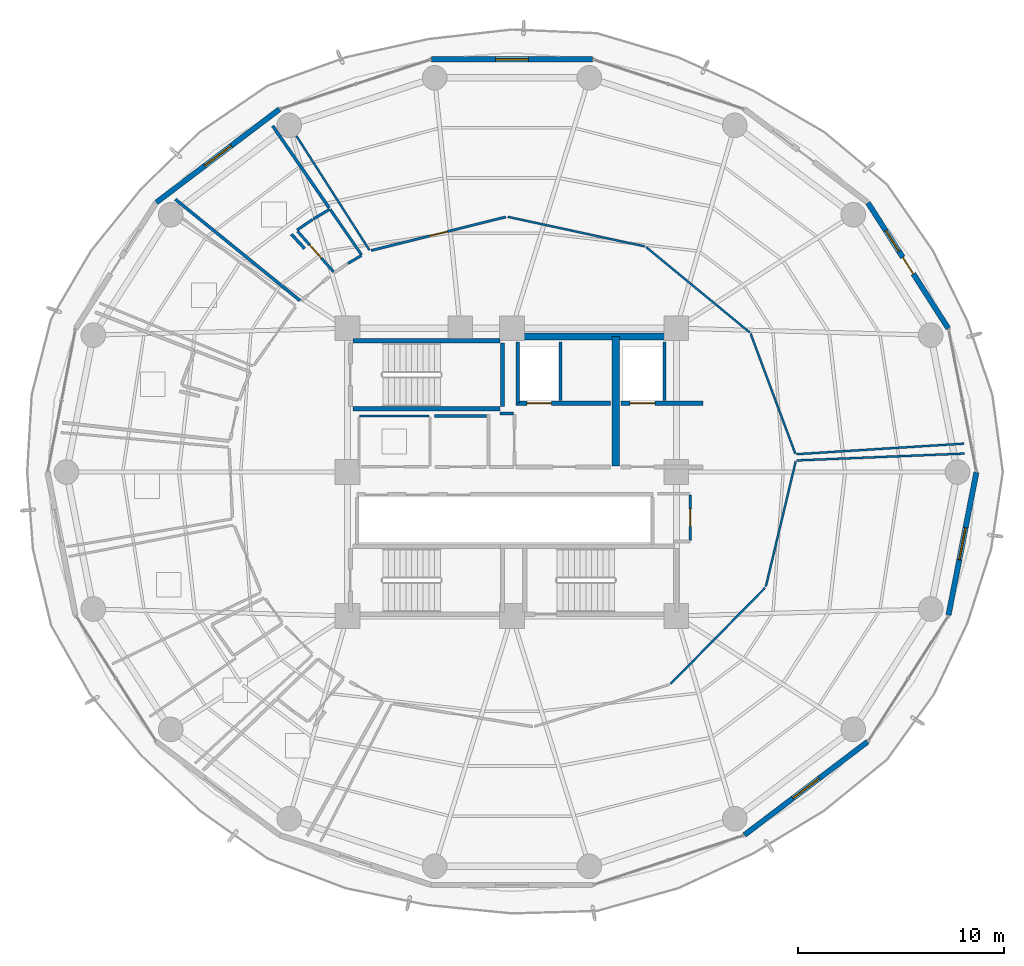
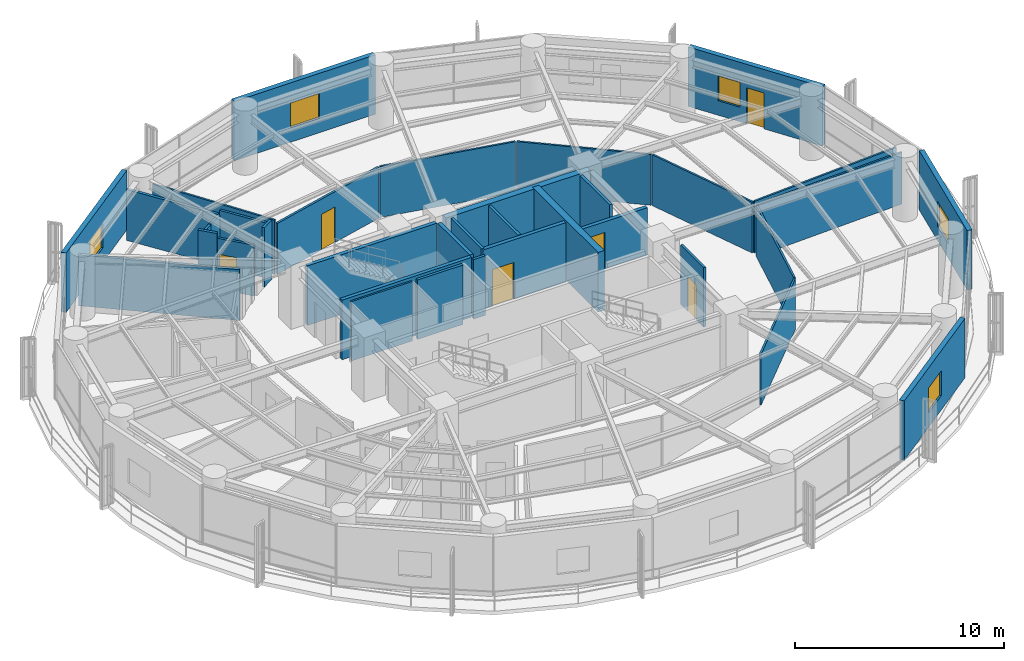
# One storey, part 23 of 27: 36 walls, 6 doors, 5 windows, 11 openings.
"""IFC4 building model written with IfcOpenShell, lengths in metres."""

from ifc_helpers import new_model, si_unit, direction, frame, frame_2d, origin, place, context, subcontext, project, spatial, rectangle, extrude, material, layer, layer_set, type_object, element, fill, save


model = new_model("IFC4")

# Units and contexts
model_context = context("Model", 3, precision=1e-05, world=origin(), true_north=direction((0.0, 1.0)))
body_context = subcontext(model_context, "Body", "Model", "MODEL_VIEW")
ifc_project = project(units=[si_unit("LENGTHUNIT", "METRE"), si_unit("AREAUNIT", "SQUARE_METRE"), si_unit("VOLUMEUNIT", "CUBIC_METRE"), si_unit("PLANEANGLEUNIT", "RADIAN"), si_unit("MASSUNIT", "GRAM", prefix="KILO")], contexts=[model_context])

# Site, building, storey
site_placement = place(None, origin())
site = spatial("IfcSite", under=ifc_project, at=site_placement, CompositionType="ELEMENT")
building_placement = place(site_placement, origin())
building = spatial("IfcBuilding", under=site, at=building_placement, Name="Kelanora Arch Commons", CompositionType="ELEMENT")
storey_placement = place(building_placement, frame((0.0, 0.0, 165.60009765625)))
storey = spatial("IfcBuildingStorey", under=building, at=storey_placement, Name="L42", CompositionType="ELEMENT", Elevation=165.60009765625)

# Walls
ifc_material_1 = material(Name="Autoclaved aerated concrete blockwork with fire plaster", Category="masonry")
ifc_layer_1 = layer(ifc_material_1, 0.14990234375)
ifc_layer_set_1 = layer_set([ifc_layer_1], Name="Autoclaved aerated concrete blockwork with fire plaster")
wall_type_1 = type_object("IfcWallType", Name="W-COMP-150", PredefinedType="PARTITIONING", material=ifc_layer_set_1)
wall_1_placement = place(storey_placement, frame((74.280029296875, 61.35009765625, 0.0), z_axis=(0.0, 0.0, 1.0), x_axis=(0.0, 1.0, 0.0)))
element("IfcWall", 1, at=wall_1_placement, inside=storey, type_object=wall_type_1, Name="Firefighting Lift 1 West Shaft Wall L42", PredefinedType="PARTITIONING", context=body_context, shape_type="SweptSolid", body=[
    extrude(rectangle(XDim=2.969970703125, YDim=0.14990234375, at=frame_2d((1.48486328125, 0.0))), origin(), (0.0, 0.0, 1.0), 3.47998046875),
])
for number, where, z_axis, x_axis, name in (
    (2, (76.360107421875, 61.47998046875, 0.0), (0.0, 0.0, 1.0), (0.0, 1.0, 0.0), "Firefighting Lift 1 East Shaft Wall L42"),
    (3, (81.419921875, 61.47998046875, 0.0), (0.0, 0.0, 1.0), (0.0, 1.0, 0.0), "Firefighting Lift 2 East Shaft Wall L42"),
):
    element("IfcWall", number, at=place(storey_placement, frame(where, z_axis=z_axis, x_axis=x_axis)), inside=storey, type_object=wall_type_1, Name=name, PredefinedType="PARTITIONING", context=body_context, shape_type="SweptSolid", body=[
        extrude(rectangle(XDim=2.840087890625, YDim=0.14990234375, at=frame_2d((1.419921875, 0.0))), origin(), (0.0, 0.0, 1.0), 3.47998046875),
    ])
wall_2_placement = place(storey_placement, frame((74.080078125, 60.85009765625, 0.0), z_axis=(0.0, 0.0, 1.0), x_axis=(-1.0, 0.0, 0.0)))
element("IfcWall", 4, at=wall_2_placement, inside=storey, type_object=wall_type_1, Name="Core Linen Supply Store L42 Enclosure Partition 3", PredefinedType="PARTITIONING", context=body_context, shape_type="SweptSolid", body=[
    extrude(rectangle(XDim=0.66015625, YDim=0.14990234375, at=frame_2d((0.330078125, 0.0))), origin(), (0.0, 0.0, 1.0), 3.47998046875),
])
wall_3_placement = place(storey_placement, frame((72.760009765625, 60.719970703125, 0.0), z_axis=(0.0, 0.0, 1.0), x_axis=(-1.0, 0.0, 0.0)))
element("IfcWall", 5, at=wall_3_placement, inside=storey, type_object=wall_type_1, Name="Reclaimed Core Linen Store L42 Enclosure Partition 3", PredefinedType="PARTITIONING", context=body_context, shape_type="SweptSolid", body=[
    extrude(rectangle(XDim=2.52001953125, YDim=0.14990234375, at=frame_2d((1.260009765625, 0.0))), origin(), (0.0, 0.0, 1.0), 3.47998046875),
])
wall_4_placement = place(storey_placement, frame((63.68896484375, 66.340087890625, 0.0), z_axis=(0.0, 0.0, 1.0), x_axis=(-0.77600992695, 0.630720693553, 0.0)))
element("IfcWall", 6, at=wall_4_placement, inside=storey, type_object=wall_type_1, Name="Cluster Bedroom L42-01 Enclosure Partition 2", PredefinedType="PARTITIONING", context=body_context, shape_type="SweptSolid", body=[
    extrude(rectangle(XDim=7.822265625, YDim=0.14990234375, at=frame_2d((3.9111328125, 0.0))), origin(), (0.0, 0.0, 1.0), 2.974853515625),
])
wall_5_placement = place(storey_placement, frame((62.354736328125, 74.84521484375, 0.0), z_axis=(0.0, 0.0, 1.0), x_axis=(0.56747106095, -0.823393341596, 0.0)))
element("IfcWall", 7, at=wall_5_placement, inside=storey, type_object=wall_type_1, Name="Cluster Bedroom L42-01 Enclosure Partition 5", PredefinedType="PARTITIONING", context=body_context, shape_type="SweptSolid", body=[
    extrude(rectangle(XDim=4.836669921875, YDim=0.14990234375, at=frame_2d((2.41845703125, 0.0))), origin(), (0.0, 0.0, 1.0), 2.974853515625),
])
wall_6_placement = place(storey_placement, frame((63.26416015625, 69.573486328125, 0.0), z_axis=(0.0, 0.0, 1.0), x_axis=(0.678771543933, -0.734349502041, 0.0)))
element("IfcWall", 8, at=wall_6_placement, inside=storey, type_object=wall_type_1, Name="Cluster Bedroom L42-01 Enclosure Partition 7", PredefinedType="PARTITIONING", context=body_context, shape_type="SweptSolid", body=[
    extrude(rectangle(XDim=0.94873046875, YDim=0.14990234375, at=frame_2d((0.474365234375, 0.0))), origin(), (0.0, 0.0, 1.0), 3.47998046875),
])
ifc_material_2 = material(Name="Concrete C50/60", Category="concrete")
ifc_layer_2 = layer(ifc_material_2, 0.35009765625)
ifc_layer_set_2 = layer_set([ifc_layer_2], Name="Concrete C50/60")
wall_type_2 = type_object("IfcWallType", Name="W-CORE-350", PredefinedType="SHEAR", material=ifc_layer_set_2)
wall_7_placement = place(storey_placement, frame((74.0, 64.60009765625, 0.0), z_axis=(0.0, 0.0, 1.0), x_axis=(1.0, 0.0, 0.0)))
element("IfcWall", 9, at=wall_7_placement, inside=storey, type_object=wall_type_2, Name="Core Shear Spine L42-CN-E", PredefinedType="SHEAR", context=body_context, shape_type="SweptSolid", body=[
    extrude(rectangle(XDim=8.0, YDim=0.35009765625, at=frame_2d((4.0, 0.0))), origin(), (0.0, 0.0, 1.0), 3.489990234375),
])
wall_8_placement = place(storey_placement, frame((79.050048828125, 58.300048828125, 0.0), z_axis=(0.0, 0.0, 1.0), x_axis=(0.0, 1.0, 0.0)))
element("IfcWall", 10, at=wall_8_placement, inside=storey, type_object=wall_type_2, Name="Core Shear Spine L42-CE-N", PredefinedType="SHEAR", context=body_context, shape_type="SweptSolid", body=[
    extrude(rectangle(XDim=6.300048828125, YDim=0.35009765625, at=frame_2d((3.14990234375, 0.0))), origin(), (0.0, 0.0, 1.0), 3.489990234375),
])

# Wall, openings, door, window
ifc_material_3 = material(Name="Precast concrete C40/50 with terracotta rainscreen", Category="masonry")
ifc_layer_3 = layer(ifc_material_3, 0.260009765625)
ifc_layer_set_3 = layer_set([ifc_layer_3], Name="Precast concrete C40/50 with terracotta rainscreen")
wall_type_3 = type_object("IfcWallType", Name="W-EXT-TC", PredefinedType="SOLIDWALL", material=ifc_layer_set_3)
wall_9_placement = place(storey_placement, frame((95.22900390625, 64.98974609375, 0.0), z_axis=(0.0, 0.0, 1.0), x_axis=(-0.538801521808, 0.842432739213, 0.0)))
wall_9 = element("IfcWall", 11, at=wall_9_placement, inside=storey, type_object=wall_type_3, Name="Terracotta Exterior Wall L42-B01", PredefinedType="SOLIDWALL", context=body_context, shape_type="SweptSolid", body=[
    extrude(rectangle(XDim=7.25341796875, YDim=0.260009765625, at=frame_2d((3.626708984375, 0.0))), origin(), (0.0, 0.0, 1.0), 3.474853515625),
])
opening_1_placement = place(wall_9_placement, frame((3.152099609375, 0.0, 0.0)))
opening_1 = element("IfcOpeningElement", 12, at=opening_1_placement, cuts=wall_9, Name="Opening DB-01", PredefinedType="OPENING", context=body_context, shape_type="SweptSolid", body=[
    extrude(rectangle(XDim=0.949951171875, YDim=2.10009765625, at=frame_2d((0.47509765625, 1.050048828125))), frame((0.0, 0.14013671875, 0.0), z_axis=(0.0, -1.0, 0.0), x_axis=(1.0, 0.0, 0.0)), (0.0, 0.0, 1.0), 0.280029296875),
])
opening_2_placement = place(wall_9_placement, frame((4.451904296875, 0.0, 0.85009765625)))
opening_2 = element("IfcOpeningElement", 13, at=opening_2_placement, cuts=wall_9, Name="Opening WN-02", PredefinedType="OPENING", context=body_context, shape_type="SweptSolid", body=[
    extrude(rectangle(XDim=1.199951171875, YDim=1.449951171875, at=frame_2d((0.60009765625, 0.72509765625))), frame((0.0, 0.14013671875, 0.0), z_axis=(0.0, -1.0, 0.0), x_axis=(1.0, 0.0, 0.0)), (0.0, 0.0, 1.0), 0.280029296875),
])
ifc_material_4 = material(Name="Terracotta-aluminium thermally broken glazed balcony door", Category="masonry")
door_type_1 = type_object("IfcDoorType", Name="D-BAL-10", OperationType="NOTDEFINED", PredefinedType="DOOR", material=ifc_material_4)
door_1_placement = place(opening_1_placement, frame((0.949951171875, 0.0, 0.0), z_axis=(0.0, 0.0, 1.0), x_axis=(-1.0, 0.0, 0.0)))
door_1 = element("IfcDoor", 14, at=door_1_placement, inside=storey, type_object=door_type_1, Name="Wave Balcony Door L42-B01", OperationType="SINGLE_SWING_RIGHT", OverallHeight=2.10009765625, OverallWidth=0.949951171875, PredefinedType="DOOR", context=body_context, shape_type="SweptSolid", body=[
    extrude(rectangle(XDim=0.949951171875, YDim=2.10009765625, at=frame_2d((0.47509765625, 1.050048828125))), frame((0.0, 0.02490234375, 0.0), z_axis=(0.0, -1.0, 0.0), x_axis=(1.0, 0.0, 0.0)), (0.0, 0.0, 1.0), 0.050048828125),
])
fill(opening_1, door_1)
ifc_material_5 = material(Name="Terracotta-anodised aluminium frame with operable awning sash", Category="masonry")
window_type_1 = type_object("IfcWindowType", Name="WIN-CL-12", PartitioningType="SINGLE_PANEL", PredefinedType="WINDOW", material=ifc_material_5)
window_1_placement = place(opening_2_placement, origin())
window_1 = element("IfcWindow", 15, at=window_1_placement, inside=storey, type_object=window_type_1, Name="Co-Living Operable Window L42-B01", OverallHeight=1.449951171875, OverallWidth=1.199951171875, PartitioningType="SINGLE_PANEL", PredefinedType="WINDOW", context=body_context, shape_type="SweptSolid", body=[
    extrude(rectangle(XDim=1.199951171875, YDim=1.449951171875, at=frame_2d((0.60009765625, 0.72509765625))), frame((0.0, 0.030029296875, 0.0), z_axis=(0.0, -1.0, 0.0), x_axis=(1.0, 0.0, 0.0)), (0.0, 0.0, 1.0), 0.06005859375),
])
fill(opening_2, window_1)

# Wall, opening, window
wall_10_placement = place(storey_placement, frame((77.909423828125, 78.090087890625, 0.0), z_axis=(0.0, 0.0, 1.0), x_axis=(-1.0, 0.0, 0.0)))
wall_10 = element("IfcWall", 16, at=wall_10_placement, inside=storey, type_object=wall_type_3, Name="Terracotta Exterior Wall L42-B04", PredefinedType="SOLIDWALL", context=body_context, shape_type="SweptSolid", body=[
    extrude(rectangle(XDim=7.81884765625, YDim=0.260009765625, at=frame_2d((3.909423828125, 0.0))), origin(), (0.0, 0.0, 1.0), 3.474853515625),
])
opening_3_placement = place(wall_10_placement, frame((3.10888671875, 0.0, 0.85009765625)))
opening_3 = element("IfcOpeningElement", 17, at=opening_3_placement, cuts=wall_10, Name="Opening WN-01", PredefinedType="OPENING", context=body_context, shape_type="SweptSolid", body=[
    extrude(rectangle(XDim=1.60009765625, YDim=1.449951171875, at=frame_2d((0.800048828125, 0.72509765625))), frame((0.0, 0.14013671875, 0.0), z_axis=(0.0, -1.0, 0.0), x_axis=(1.0, 0.0, 0.0)), (0.0, 0.0, 1.0), 0.280029296875),
])
ifc_material_6 = material(Name="Terracotta-anodised aluminium frame with operable low-E glazing", Category="masonry")
window_type_2 = type_object("IfcWindowType", Name="WIN-CL-18", PartitioningType="DOUBLE_PANEL_VERTICAL", PredefinedType="WINDOW", material=ifc_material_6)
window_2_placement = place(opening_3_placement, origin())
window_2 = element("IfcWindow", 18, at=window_2_placement, inside=storey, type_object=window_type_2, Name="Co-Living Operable Window L42-B04", OverallHeight=1.449951171875, OverallWidth=1.60009765625, PartitioningType="SINGLE_PANEL", PredefinedType="WINDOW", context=body_context, shape_type="SweptSolid", body=[
    extrude(rectangle(XDim=1.60009765625, YDim=1.449951171875, at=frame_2d((0.800048828125, 0.72509765625))), frame((0.0, 0.030029296875, 0.0), z_axis=(0.0, -1.0, 0.0), x_axis=(1.0, 0.0, 0.0)), (0.0, 0.0, 1.0), 0.06005859375),
])
fill(opening_3, window_2)

wall_11_placement = place(storey_placement, frame((62.68798828125, 75.65771484375, 0.0), z_axis=(0.0, 0.0, 1.0), x_axis=(-0.797163719609, -0.603763202042, 0.0)))
wall_11 = element("IfcWall", 19, at=wall_11_placement, inside=storey, type_object=wall_type_3, Name="Terracotta Exterior Wall L42-B06", PredefinedType="SOLIDWALL", context=body_context, shape_type="SweptSolid", body=[
    extrude(rectangle(XDim=7.51220703125, YDim=0.260009765625, at=frame_2d((3.756103515625, 0.0))), origin(), (0.0, 0.0, 1.0), 3.474853515625),
])
opening_4_placement = place(wall_11_placement, frame((2.9560546875, 0.0, 0.85009765625)))
opening_4 = element("IfcOpeningElement", 20, at=opening_4_placement, cuts=wall_11, Name="Opening WN-01", PredefinedType="OPENING", context=body_context, shape_type="SweptSolid", body=[
    extrude(rectangle(XDim=1.60009765625, YDim=1.449951171875, at=frame_2d((0.800048828125, 0.72509765625))), frame((0.0, 0.14013671875, 0.0), z_axis=(0.0, -1.0, 0.0), x_axis=(1.0, 0.0, 0.0)), (0.0, 0.0, 1.0), 0.280029296875),
])
window_3_placement = place(opening_4_placement, origin())
window_3 = element("IfcWindow", 21, at=window_3_placement, inside=storey, type_object=window_type_2, Name="Co-Living Operable Window L42-B06", OverallHeight=1.449951171875, OverallWidth=1.60009765625, PartitioningType="SINGLE_PANEL", PredefinedType="WINDOW", context=body_context, shape_type="SweptSolid", body=[
    extrude(rectangle(XDim=1.60009765625, YDim=1.449951171875, at=frame_2d((0.800048828125, 0.72509765625))), frame((0.0, 0.030029296875, 0.0), z_axis=(0.0, -1.0, 0.0), x_axis=(1.0, 0.0, 0.0)), (0.0, 0.0, 1.0), 0.06005859375),
])
fill(opening_4, window_3)

wall_12_placement = place(storey_placement, frame((85.31201171875, 40.34228515625, 0.0), z_axis=(0.0, 0.0, 1.0), x_axis=(0.797163719609, 0.603763202042, 0.0)))
wall_12 = element("IfcWall", 22, at=wall_12_placement, inside=storey, type_object=wall_type_3, Name="Terracotta Exterior Wall L42-B15", PredefinedType="SOLIDWALL", context=body_context, shape_type="SweptSolid", body=[
    extrude(rectangle(XDim=7.51220703125, YDim=0.260009765625, at=frame_2d((3.756103515625, 0.0))), origin(), (0.0, 0.0, 1.0), 3.474853515625),
])
opening_5_placement = place(wall_12_placement, frame((2.9560546875, 0.0, 0.85009765625)))
opening_5 = element("IfcOpeningElement", 23, at=opening_5_placement, cuts=wall_12, Name="Opening WN-01", PredefinedType="OPENING", context=body_context, shape_type="SweptSolid", body=[
    extrude(rectangle(XDim=1.60009765625, YDim=1.449951171875, at=frame_2d((0.800048828125, 0.72509765625))), frame((0.0, 0.14013671875, 0.0), z_axis=(0.0, -1.0, 0.0), x_axis=(1.0, 0.0, 0.0)), (0.0, 0.0, 1.0), 0.280029296875),
])
window_4_placement = place(opening_5_placement, origin())
window_4 = element("IfcWindow", 24, at=window_4_placement, inside=storey, type_object=window_type_2, Name="Co-Living Operable Window L42-B15", OverallHeight=1.449951171875, OverallWidth=1.60009765625, PartitioningType="SINGLE_PANEL", PredefinedType="WINDOW", context=body_context, shape_type="SweptSolid", body=[
    extrude(rectangle(XDim=1.60009765625, YDim=1.449951171875, at=frame_2d((0.800048828125, 0.72509765625))), frame((0.0, 0.030029296875, 0.0), z_axis=(0.0, -1.0, 0.0), x_axis=(1.0, 0.0, 0.0)), (0.0, 0.0, 1.0), 0.06005859375),
])
fill(opening_5, window_4)

wall_13_placement = place(storey_placement, frame((95.239990234375, 51.03759765625, 0.0), z_axis=(0.0, 0.0, 1.0), x_axis=(0.191716984769, 0.981450252306, 0.0)))
wall_13 = element("IfcWall", 25, at=wall_13_placement, inside=storey, type_object=wall_type_3, Name="Terracotta Exterior Wall L42-B17", PredefinedType="SOLIDWALL", context=body_context, shape_type="SweptSolid", body=[
    extrude(rectangle(XDim=7.0791015625, YDim=0.260009765625, at=frame_2d((3.53955078125, 0.0))), origin(), (0.0, 0.0, 1.0), 3.474853515625),
])
opening_6_placement = place(wall_13_placement, frame((2.739990234375, 0.0, 0.85009765625)))
opening_6 = element("IfcOpeningElement", 26, at=opening_6_placement, cuts=wall_13, Name="Opening WN-01", PredefinedType="OPENING", context=body_context, shape_type="SweptSolid", body=[
    extrude(rectangle(XDim=1.60009765625, YDim=1.449951171875, at=frame_2d((0.800048828125, 0.72509765625))), frame((0.0, 0.14013671875, 0.0), z_axis=(0.0, -1.0, 0.0), x_axis=(1.0, 0.0, 0.0)), (0.0, 0.0, 1.0), 0.280029296875),
])
window_5_placement = place(opening_6_placement, origin())
window_5 = element("IfcWindow", 27, at=window_5_placement, inside=storey, type_object=window_type_2, Name="Co-Living Operable Window L42-B17", OverallHeight=1.449951171875, OverallWidth=1.60009765625, PartitioningType="SINGLE_PANEL", PredefinedType="WINDOW", context=body_context, shape_type="SweptSolid", body=[
    extrude(rectangle(XDim=1.60009765625, YDim=1.449951171875, at=frame_2d((0.800048828125, 0.72509765625))), frame((0.0, 0.030029296875, 0.0), z_axis=(0.0, -1.0, 0.0), x_axis=(1.0, 0.0, 0.0)), (0.0, 0.0, 1.0), 0.06005859375),
])
fill(opening_6, window_5)

# Wall, opening, door
ifc_material_7 = material(Name="Concrete C40/50", Category="concrete")
ifc_layer_4 = layer(ifc_material_7, 0.199951171875)
ifc_layer_set_4 = layer_set([ifc_layer_4], Name="Concrete C40/50")
wall_type_4 = type_object("IfcWallType", Name="W-FFL-200", PredefinedType="SOLIDWALL", material=ifc_layer_set_4)
wall_14_placement = place(storey_placement, frame((74.199951171875, 61.35009765625, 0.0), z_axis=(0.0, 0.0, 1.0), x_axis=(1.0, 0.0, 0.0)))
wall_14 = element("IfcWall", 28, at=wall_14_placement, inside=storey, type_object=wall_type_4, Name="Firefighting Lift 1 Shaft Front L42", PredefinedType="SOLIDWALL", context=body_context, shape_type="SweptSolid", body=[
    extrude(rectangle(XDim=4.60009765625, YDim=0.199951171875, at=frame_2d((2.300048828125, 0.0))), origin(), (0.0, 0.0, 1.0), 3.47998046875),
])
opening_7_placement = place(wall_14_placement, frame((0.52001953125, 0.0, 0.0)))
opening_7 = element("IfcOpeningElement", 29, at=opening_7_placement, cuts=wall_14, Name="Opening LD-FF", PredefinedType="OPENING", context=body_context, shape_type="SweptSolid", body=[
    extrude(rectangle(XDim=1.199951171875, YDim=2.14990234375, at=frame_2d((0.60009765625, 1.074951171875))), frame((0.0, 0.10986328125, 0.0), z_axis=(0.0, -1.0, 0.0), x_axis=(1.0, 0.0, 0.0)), (0.0, 0.0, 1.0), 0.219970703125),
])
ifc_material_8 = material(Name="Fire-rated firefighters lift sliding landing door")
door_type_2 = type_object("IfcDoorType", Name="D-LIFT-FF", OperationType="NOTDEFINED", PredefinedType="DOOR", material=ifc_material_8)
door_2_placement = place(opening_7_placement, origin())
door_2 = element("IfcDoor", 30, at=door_2_placement, inside=storey, type_object=door_type_2, Name="Firefighting Lift LF-FF1 Landing Door L42", OperationType="DOUBLE_DOOR_SLIDING", OverallHeight=2.14990234375, OverallWidth=1.199951171875, PredefinedType="DOOR", context=body_context, shape_type="SweptSolid", body=[
    extrude(rectangle(XDim=1.199951171875, YDim=2.14990234375, at=frame_2d((0.60009765625, 1.074951171875))), frame((0.0, 0.02490234375, 0.0), z_axis=(0.0, -1.0, 0.0), x_axis=(1.0, 0.0, 0.0)), (0.0, 0.0, 1.0), 0.050048828125),
])
fill(opening_7, door_2)

wall_15_placement = place(storey_placement, frame((79.300048828125, 61.35009765625, 0.0), z_axis=(0.0, 0.0, 1.0), x_axis=(1.0, 0.0, 0.0)))
wall_15 = element("IfcWall", 31, at=wall_15_placement, inside=storey, type_object=wall_type_4, Name="Firefighting Lift 2 Shaft Front L42", PredefinedType="SOLIDWALL", context=body_context, shape_type="SweptSolid", body=[
    extrude(rectangle(XDim=4.0, YDim=0.199951171875, at=frame_2d((2.0, 0.0))), origin(), (0.0, 0.0, 1.0), 2.77490234375),
])
opening_8_placement = place(wall_15_placement, frame((0.449951171875, 0.0, 0.0)))
opening_8 = element("IfcOpeningElement", 32, at=opening_8_placement, cuts=wall_15, Name="Opening LD-FF", PredefinedType="OPENING", context=body_context, shape_type="SweptSolid", body=[
    extrude(rectangle(XDim=1.199951171875, YDim=2.14990234375, at=frame_2d((0.60009765625, 1.074951171875))), frame((0.0, 0.10986328125, 0.0), z_axis=(0.0, -1.0, 0.0), x_axis=(1.0, 0.0, 0.0)), (0.0, 0.0, 1.0), 0.219970703125),
])
door_3_placement = place(opening_8_placement, origin())
door_3 = element("IfcDoor", 33, at=door_3_placement, inside=storey, type_object=door_type_2, Name="Firefighting Lift LF-FF2 Landing Door L42", OperationType="DOUBLE_DOOR_SLIDING", OverallHeight=2.14990234375, OverallWidth=1.199951171875, PredefinedType="DOOR", context=body_context, shape_type="SweptSolid", body=[
    extrude(rectangle(XDim=1.199951171875, YDim=2.14990234375, at=frame_2d((0.60009765625, 1.074951171875))), frame((0.0, 0.02490234375, 0.0), z_axis=(0.0, -1.0, 0.0), x_axis=(1.0, 0.0, 0.0)), (0.0, 0.0, 1.0), 0.050048828125),
])
fill(opening_8, door_3)

# Walls
ifc_material_9 = material(Name="Lightweight fire-rated acoustic stud partition")
ifc_layer_5 = layer(ifc_material_9, 0.10009765625)
ifc_layer_set_5 = layer_set([ifc_layer_5], Name="Lightweight fire-rated acoustic stud partition")
wall_type_5 = type_object("IfcWallType", Name="W-PART-100", PredefinedType="PARTITIONING", material=ifc_layer_set_5)
wall_16_placement = place(storey_placement, frame((69.9599609375, 60.719970703125, 0.0), z_axis=(0.0, 0.0, 1.0), x_axis=(-1.0, 0.0, 0.0)))
element("IfcWall", 34, at=wall_16_placement, inside=storey, type_object=wall_type_5, Name="Reclaimed Core Quiet Phone Booths L42 Enclosure Partition 3", PredefinedType="PARTITIONING", context=body_context, shape_type="SweptSolid", body=[
    extrude(rectangle(XDim=3.369873046875, YDim=0.10009765625, at=frame_2d((1.68505859375, 0.0))), origin(), (0.0, 0.0, 1.0), 3.47998046875),
])
wall_17_placement = place(storey_placement, frame((81.72216796875, 47.699462890625, 0.0), z_axis=(0.0, 0.0, 1.0), x_axis=(0.701417862724, 0.712750294179, 0.0)))
element("IfcWall", 35, at=wall_17_placement, inside=storey, type_object=wall_type_5, Name="South-East Social Sky Lounge L42 Enclosure Partition 3", PredefinedType="PARTITIONING", context=body_context, shape_type="SweptSolid", body=[
    extrude(rectangle(XDim=6.54931640625, YDim=0.10009765625, at=frame_2d((3.274658203125, 0.0))), origin(), (0.0, 0.0, 1.0), 2.974853515625),
])
wall_18_placement = place(storey_placement, frame((86.353271484375, 52.434814453125, 0.0), z_axis=(0.0, 0.0, 1.0), x_axis=(0.232117767109, 0.972687689956, 0.0)))
element("IfcWall", 36, at=wall_18_placement, inside=storey, type_object=wall_type_5, Name="South-East Social Sky Lounge L42 Enclosure Partition 4", PredefinedType="PARTITIONING", context=body_context, shape_type="SweptSolid", body=[
    extrude(rectangle(XDim=6.26123046875, YDim=0.10009765625, at=frame_2d((3.130615234375, 0.0))), origin(), (0.0, 0.0, 1.0), 2.974853515625),
])
wall_19_placement = place(storey_placement, frame((87.85595703125, 58.565673828125, 0.0), z_axis=(0.0, 0.0, 1.0), x_axis=(0.999160005097, 0.04097907045, 0.0)))
element("IfcWall", 37, at=wall_19_placement, inside=storey, type_object=wall_type_5, Name="South-East Social Sky Lounge L42 Enclosure Partition 5", PredefinedType="PARTITIONING", context=body_context, shape_type="SweptSolid", body=[
    extrude(rectangle(XDim=8.16796875, YDim=0.10009765625, at=frame_2d((4.083984375, 0.0))), origin(), (0.0, 0.0, 1.0), 3.02490234375),
])
wall_20_placement = place(storey_placement, frame((87.781982421875, 58.904541015625, 0.0), z_axis=(0.0, 0.0, 1.0), x_axis=(-0.348794663743, 0.937199169091, 0.0)))
element("IfcWall", 38, at=wall_20_placement, inside=storey, type_object=wall_type_5, Name="North-East Quiet Study Commons L42 Enclosure Partition 1", PredefinedType="PARTITIONING", context=body_context, shape_type="SweptSolid", body=[
    extrude(rectangle(XDim=6.218505859375, YDim=0.10009765625, at=frame_2d((3.109375, 0.0))), origin(), (0.0, 0.0, 1.0), 2.974853515625),
])
wall_21_placement = place(storey_placement, frame((85.568115234375, 64.79541015625, 0.0), z_axis=(0.0, 0.0, 1.0), x_axis=(-0.771910823064, 0.635730824513, 0.0)))
element("IfcWall", 39, at=wall_21_placement, inside=storey, type_object=wall_type_5, Name="North-East Quiet Study Commons L42 Enclosure Partition 2", PredefinedType="PARTITIONING", context=body_context, shape_type="SweptSolid", body=[
    extrude(rectangle(XDim=6.53466796875, YDim=0.10009765625, at=frame_2d((3.267333984375, 0.0))), origin(), (0.0, 0.0, 1.0), 2.974853515625),
])
wall_22_placement = place(storey_placement, frame((80.453857421875, 68.9833984375, 0.0), z_axis=(0.0, 0.0, 1.0), x_axis=(-0.977499159178, 0.210939313089, 0.0)))
element("IfcWall", 40, at=wall_22_placement, inside=storey, type_object=wall_type_5, Name="North-East Quiet Study Commons L42 Enclosure Partition 3", PredefinedType="PARTITIONING", context=body_context, shape_type="SweptSolid", body=[
    extrude(rectangle(XDim=6.80908203125, YDim=0.10009765625, at=frame_2d((3.404541015625, 0.0))), origin(), (0.0, 0.0, 1.0), 2.974853515625),
])
wall_23_placement = place(storey_placement, frame((67.0634765625, 68.798583984375, 0.0), z_axis=(0.0, 0.0, 1.0), x_axis=(-0.538644897025, 0.842532892479, 0.0)))
element("IfcWall", 41, at=wall_23_placement, inside=storey, type_object=wall_type_5, Name="North-East Quiet Study Commons L42 Enclosure Partition 5", PredefinedType="PARTITIONING", context=body_context, shape_type="SweptSolid", body=[
    extrude(rectangle(XDim=6.593505859375, YDim=0.10009765625, at=frame_2d((3.296875, 0.0))), origin(), (0.0, 0.0, 1.0), 3.1748046875),
])
wall_24_placement = place(storey_placement, frame((95.986083984375, 59.384521484375, 0.0), z_axis=(0.0, 0.0, 1.0), x_axis=(-0.998008477031, -0.063079947474, 0.0)))
element("IfcWall", 42, at=wall_24_placement, inside=storey, type_object=wall_type_5, Name="North-East Quiet Study Commons L42 Enclosure Partition 10", PredefinedType="PARTITIONING", context=body_context, shape_type="SweptSolid", body=[
    extrude(rectangle(XDim=8.16650390625, YDim=0.10009765625, at=frame_2d((4.083251953125, 0.0))), origin(), (0.0, 0.0, 1.0), 3.02490234375),
])

# Wall, opening, door
ifc_material_10 = material(Name="Acoustic twin-stud fire-rated gypsum partition")
ifc_layer_6 = layer(ifc_material_10, 0.1201171875)
ifc_layer_set_6 = layer_set([ifc_layer_6], Name="Acoustic twin-stud fire-rated gypsum partition")
wall_type_6 = type_object("IfcWallType", Name="W-PART-120", PredefinedType="PARTITIONING", material=ifc_layer_set_6)
wall_25_placement = place(storey_placement, frame((73.70068359375, 70.41357421875, 0.0), z_axis=(0.0, 0.0, 1.0), x_axis=(-0.970327101986, -0.241796019718, 0.0)))
wall_25 = element("IfcWall", 43, at=wall_25_placement, inside=storey, type_object=wall_type_6, Name="North-East Quiet Study Commons L42 Entry Partition", PredefinedType="PARTITIONING", context=body_context, shape_type="SweptSolid", body=[
    extrude(rectangle(XDim=6.7578125, YDim=0.1201171875, at=frame_2d((3.37890625, 0.0))), origin(), (0.0, 0.0, 1.0), 2.974853515625),
])
opening_9_placement = place(wall_25_placement, frame((2.928955078125, 0.0, 0.0)))
opening_9 = element("IfcOpeningElement", 44, at=opening_9_placement, cuts=wall_25, Name="Opening D-RM1", PredefinedType="OPENING", context=body_context, shape_type="SweptSolid", body=[
    extrude(rectangle(XDim=0.89990234375, YDim=2.080078125, at=frame_2d((0.449951171875, 1.0400390625))), frame((0.0, 0.070068359375, 0.0), z_axis=(0.0, -1.0, 0.0), x_axis=(1.0, 0.0, 0.0)), (0.0, 0.0, 1.0), 0.14013671875),
])
ifc_material_11 = material(Name="Acoustic fire-rated timber study and lounge door", Category="wood")
door_type_3 = type_object("IfcDoorType", Name="D-ROOM-90", OperationType="NOTDEFINED", PredefinedType="DOOR", material=ifc_material_11)
door_4_placement = place(opening_9_placement, origin())
door_4 = element("IfcDoor", 45, at=door_4_placement, inside=storey, type_object=door_type_3, Name="North-East Quiet Study Commons L42 Door", OperationType="SINGLE_SWING_LEFT", OverallHeight=2.080078125, OverallWidth=0.89990234375, PredefinedType="DOOR", context=body_context, shape_type="SweptSolid", body=[
    extrude(rectangle(XDim=0.89990234375, YDim=2.080078125, at=frame_2d((0.449951171875, 1.0400390625))), frame((0.0, 0.02490234375, 0.0), z_axis=(0.0, -1.0, 0.0), x_axis=(1.0, 0.0, 0.0)), (0.0, 0.0, 1.0), 0.050048828125),
])
fill(opening_9, door_4)

# Walls
ifc_layer_7 = layer(ifc_material_7, 0.199951171875)
ifc_layer_set_7 = layer_set([ifc_layer_7], Name="Concrete C40/50")
wall_type_7 = type_object("IfcWallType", Name="W-STAIR-200", PredefinedType="SHEAR", material=ifc_layer_set_7)
wall_26_placement = place(storey_placement, frame((66.260009765625, 61.080078125, 0.0), z_axis=(0.0, 0.0, 1.0), x_axis=(1.0, 0.0, 0.0)))
element("IfcWall", 46, at=wall_26_placement, inside=storey, type_object=wall_type_7, Name="Stair ST-T1 Shaft Wall S L42", PredefinedType="SHEAR", context=body_context, shape_type="SweptSolid", body=[
    extrude(rectangle(XDim=7.159912109375, YDim=0.199951171875, at=frame_2d((3.580078125, 0.0))), origin(), (0.0, 0.0, 1.0), 3.489990234375),
])
wall_27_placement = place(storey_placement, frame((73.5400390625, 61.199951171875, 0.0), z_axis=(0.0, 0.0, 1.0), x_axis=(0.0, 1.0, 0.0)))
element("IfcWall", 47, at=wall_27_placement, inside=storey, type_object=wall_type_7, Name="Stair ST-T1 Shaft Wall E L42", PredefinedType="SHEAR", context=body_context, shape_type="SweptSolid", body=[
    extrude(rectangle(XDim=3.070068359375, YDim=0.199951171875, at=frame_2d((1.53515625, 0.0))), origin(), (0.0, 0.0, 1.0), 3.489990234375),
])
wall_28_placement = place(storey_placement, frame((73.419921875, 64.389892578125, 0.0), z_axis=(0.0, 0.0, 1.0), x_axis=(-1.0, 0.0, 0.0)))
element("IfcWall", 48, at=wall_28_placement, inside=storey, type_object=wall_type_7, Name="Stair ST-T1 Shaft Wall N L42", PredefinedType="SHEAR", context=body_context, shape_type="SweptSolid", body=[
    extrude(rectangle(XDim=7.159912109375, YDim=0.199951171875, at=frame_2d((3.580078125, 0.0))), origin(), (0.0, 0.0, 1.0), 3.489990234375),
])

# Wall, opening, door
ifc_material_12 = material(Name="Moisture-resistant fire-rated cement-board plumbing wall")
ifc_layer_8 = layer(ifc_material_12, 0.1298828125)
ifc_layer_set_8 = layer_set([ifc_layer_8], Name="Moisture-resistant fire-rated cement-board plumbing wall")
wall_type_8 = type_object("IfcWallType", Name="W-WET-120", PredefinedType="PLUMBINGWALL", material=ifc_layer_set_8)
wall_29_placement = place(storey_placement, frame((82.679931640625, 54.679931640625, 0.0), z_axis=(0.0, 0.0, 1.0), x_axis=(0.0, 1.0, 0.0)))
wall_29 = element("IfcWall", 49, at=wall_29_placement, inside=storey, type_object=wall_type_8, Name="Core Accessible Unisex WC L42 Entry Partition", PredefinedType="PLUMBINGWALL", context=body_context, shape_type="SweptSolid", body=[
    extrude(rectangle(XDim=2.2099609375, YDim=0.1298828125, at=frame_2d((1.10498046875, 0.0))), origin(), (0.0, 0.0, 1.0), 3.47998046875),
])
opening_10_placement = place(wall_29_placement, frame((0.675048828125, 0.0, 0.0)))
opening_10 = element("IfcOpeningElement", 50, at=opening_10_placement, cuts=wall_29, Name="Opening D-BT1", PredefinedType="OPENING", context=body_context, shape_type="SweptSolid", body=[
    extrude(rectangle(XDim=0.860107421875, YDim=2.050048828125, at=frame_2d((0.43017578125, 1.02490234375))), frame((0.0, 0.074951171875, 0.0), z_axis=(0.0, -1.0, 0.0), x_axis=(1.0, 0.0, 0.0)), (0.0, 0.0, 1.0), 0.14990234375),
])
ifc_material_13 = material(Name="Moisture-sealed fire-rated accessible bathroom door")
door_type_4 = type_object("IfcDoorType", Name="D-BATH-85", OperationType="NOTDEFINED", PredefinedType="DOOR", material=ifc_material_13)
door_5_placement = place(opening_10_placement, origin())
door_5 = element("IfcDoor", 51, at=door_5_placement, inside=storey, type_object=door_type_4, Name="Core Accessible Unisex WC L42 Door", OperationType="SINGLE_SWING_LEFT", OverallHeight=2.050048828125, OverallWidth=0.860107421875, PredefinedType="DOOR", context=body_context, shape_type="SweptSolid", body=[
    extrude(rectangle(XDim=0.860107421875, YDim=2.050048828125, at=frame_2d((0.43017578125, 1.02490234375))), frame((0.0, 0.02490234375, 0.0), z_axis=(0.0, -1.0, 0.0), x_axis=(1.0, 0.0, 0.0)), (0.0, 0.0, 1.0), 0.050048828125),
])
fill(opening_10, door_5)

wall_30_placement = place(storey_placement, frame((65.315185546875, 67.746826171875, 0.0), z_axis=(0.0, 0.0, 1.0), x_axis=(-0.664185753234, 0.74756757902, 0.0)))
wall_30 = element("IfcWall", 52, at=wall_30_placement, inside=storey, type_object=wall_type_8, Name="En-Suite Shower WC L42-01 Entry Partition", PredefinedType="PLUMBINGWALL", context=body_context, shape_type="SweptSolid", body=[
    extrude(rectangle(XDim=2.63818359375, YDim=0.1298828125, at=frame_2d((1.319091796875, 0.0))), origin(), (0.0, 0.0, 1.0), 2.974853515625),
])
opening_11_placement = place(wall_30_placement, frame((0.888916015625, 0.0, 0.0)))
opening_11 = element("IfcOpeningElement", 53, at=opening_11_placement, cuts=wall_30, Name="Opening D-BT1", PredefinedType="OPENING", context=body_context, shape_type="SweptSolid", body=[
    extrude(rectangle(XDim=0.860107421875, YDim=2.050048828125, at=frame_2d((0.43017578125, 1.02490234375))), frame((0.0, 0.074951171875, 0.0), z_axis=(0.0, -1.0, 0.0), x_axis=(1.0, 0.0, 0.0)), (0.0, 0.0, 1.0), 0.14990234375),
])
door_6_placement = place(opening_11_placement, origin())
door_6 = element("IfcDoor", 54, at=door_6_placement, inside=storey, type_object=door_type_4, Name="En-Suite Shower WC L42-01 Door", OperationType="SINGLE_SWING_RIGHT", OverallHeight=2.050048828125, OverallWidth=0.860107421875, PredefinedType="DOOR", context=body_context, shape_type="SweptSolid", body=[
    extrude(rectangle(XDim=0.860107421875, YDim=2.050048828125, at=frame_2d((0.43017578125, 1.02490234375))), frame((0.0, 0.02490234375, 0.0), z_axis=(0.0, -1.0, 0.0), x_axis=(1.0, 0.0, 0.0)), (0.0, 0.0, 1.0), 0.050048828125),
])
fill(opening_11, door_6)

# Walls
wall_31_placement = place(storey_placement, frame((66.6748046875, 68.542724609375, 0.0), z_axis=(0.0, 0.0, 1.0), x_axis=(-0.85851758599, -0.5127841208, 0.0)))
element("IfcWall", 55, at=wall_31_placement, inside=storey, type_object=wall_type_8, Name="En-Suite Shower WC L42-01 Enclosure Partition 1", PredefinedType="PLUMBINGWALL", context=body_context, shape_type="SweptSolid", body=[
    extrude(rectangle(XDim=0.755615234375, YDim=0.1298828125, at=frame_2d((0.3779296875, 0.0))), origin(), (0.0, 0.0, 1.0), 3.47998046875),
])
wall_32_placement = place(storey_placement, frame((63.53955078125, 69.775146484375, 0.0), z_axis=(0.0, 0.0, 1.0), x_axis=(0.827440475962, 0.561553433558, 0.0)))
element("IfcWall", 56, at=wall_32_placement, inside=storey, type_object=wall_type_8, Name="En-Suite Shower WC L42-01 Enclosure Partition 4", PredefinedType="PLUMBINGWALL", context=body_context, shape_type="SweptSolid", body=[
    extrude(rectangle(XDim=0.918212890625, YDim=0.1298828125, at=frame_2d((0.458984375, 0.0))), origin(), (0.0, 0.0, 1.0), 2.974853515625),
])
wall_33_placement = place(storey_placement, frame((64.333251953125, 70.312255859375, 0.0), z_axis=(0.0, 0.0, 1.0), x_axis=(0.858494754448, 0.512822344077, 0.0)))
element("IfcWall", 57, at=wall_33_placement, inside=storey, type_object=wall_type_8, Name="En-Suite Shower WC L42-01 Enclosure Partition 5", PredefinedType="PLUMBINGWALL", context=body_context, shape_type="SweptSolid", body=[
    extrude(rectangle(XDim=0.923095703125, YDim=0.1298828125, at=frame_2d((0.46142578125, 0.0))), origin(), (0.0, 0.0, 1.0), 2.974853515625),
])
wall_34_placement = place(storey_placement, frame((65.154296875, 70.779541015625, 0.0), z_axis=(0.0, 0.0, 1.0), x_axis=(0.568302093988, -0.822819986369, 0.0)))
element("IfcWall", 58, at=wall_34_placement, inside=storey, type_object=wall_type_8, Name="En-Suite Shower WC L42-01 Enclosure Partition 6", PredefinedType="PLUMBINGWALL", context=body_context, shape_type="SweptSolid", body=[
    extrude(rectangle(XDim=2.685791015625, YDim=0.1298828125, at=frame_2d((1.3427734375, 0.0))), origin(), (0.0, 0.0, 1.0), 3.23486328125),
])

save(model, "model.ifc")
